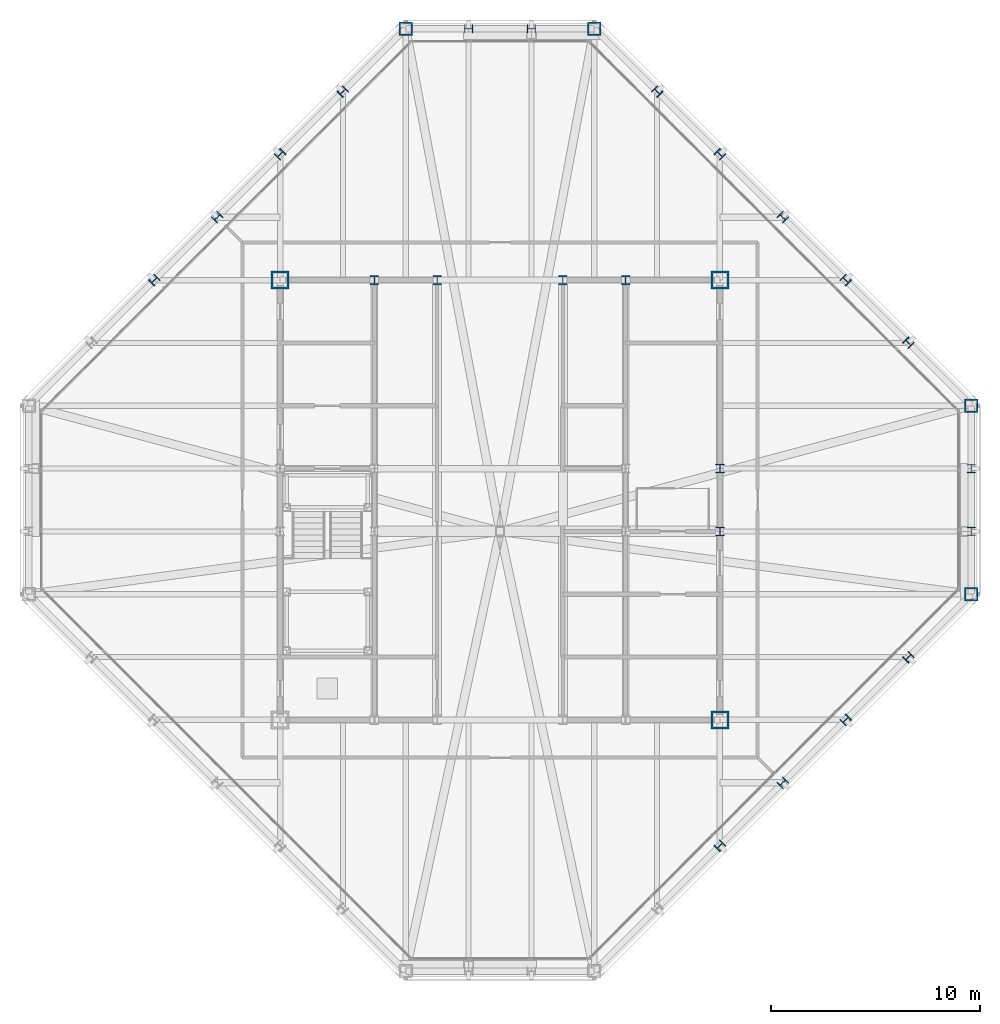
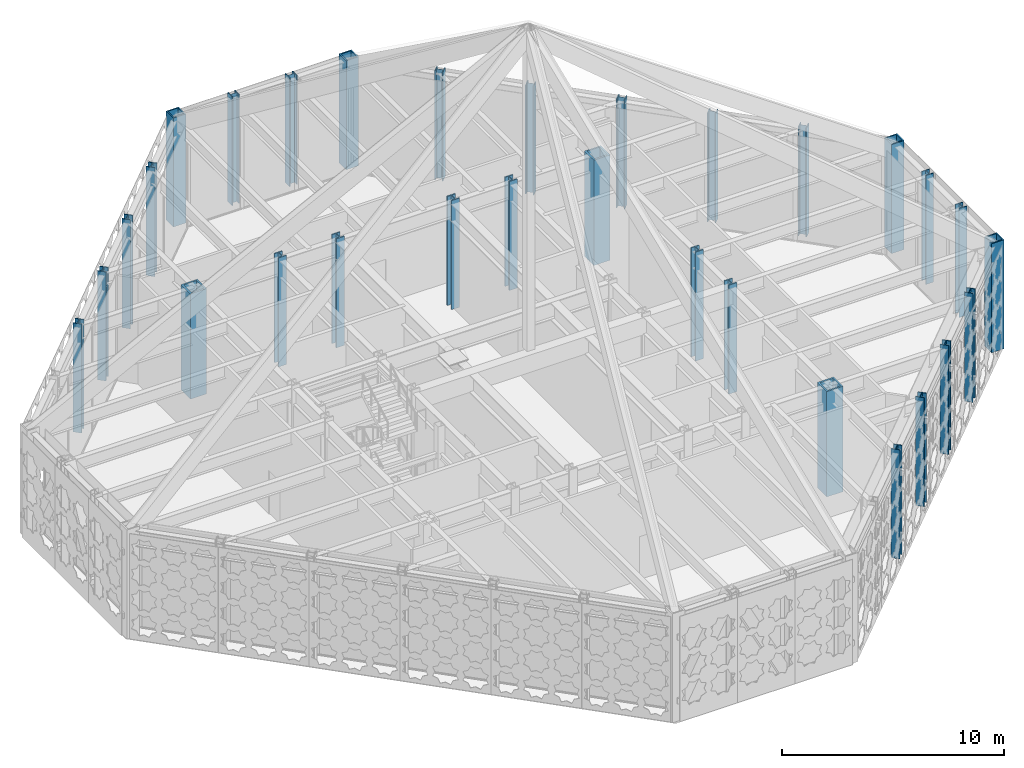
# One storey, part 3 of 30: 30 columns.
"""IFC4 building model written with IfcOpenShell, lengths in metres."""

from ifc_helpers import new_model, si_unit, direction, frame, origin, origin_2d, place, context, subcontext, project, spatial, hollow_rectangle, i_section, extrude, material, material_profile, profile_set, type_object, element, save


model = new_model("IFC4")

# Units and contexts
model_context = context("Model", 3, precision=1e-05, world=origin(), true_north=direction((0.0, 1.0)))
body_context = subcontext(model_context, "Body", "Model", "MODEL_VIEW")
ifc_project = project(units=[si_unit("LENGTHUNIT", "METRE"), si_unit("AREAUNIT", "SQUARE_METRE"), si_unit("VOLUMEUNIT", "CUBIC_METRE"), si_unit("PLANEANGLEUNIT", "RADIAN"), si_unit("MASSUNIT", "GRAM", prefix="KILO")], contexts=[model_context])

# Site, building, storey
site_placement = place(None, origin())
site = spatial("IfcSite", under=ifc_project, at=site_placement, CompositionType="ELEMENT")
building_placement = place(site_placement, origin())
building = spatial("IfcBuilding", under=site, at=building_placement, Name="Chuquiago Exchange Tower", CompositionType="ELEMENT")
storey_placement = place(building_placement, frame((0.0, 0.0, 306.0)))
storey = spatial("IfcBuildingStorey", under=building, at=storey_placement, Name="L68", CompositionType="ELEMENT", Elevation=306.0)

# Columns
ifc_material_1 = material(Name="Steel ASTM A992", Category="steel")
ifc_material_profile_1 = material_profile(ifc_material_1, i_section(OverallWidth=0.4013671875, OverallDepth=0.398681640625, WebThickness=0.02490234375, FlangeThickness=0.03955078125, at=origin_2d()), Name="W14X211")
ifc_profile_set_1 = profile_set([ifc_material_profile_1], Name="Steel ASTM A992")
column_type_1 = type_object("IfcColumnType", Name="C9 W14X211", PredefinedType="COLUMN", material=ifc_profile_set_1)
for number, where, z_axis, x_axis, name in (
    (1, (45.0, 21.0, 0.0), (0.0, 0.0, 1.0), (1.0, 0.0, 0.0), "COL-L68-45_21"),
    (2, (45.0, 24.0, 0.0), (0.0, 0.0, 1.0), (1.0, 0.0, 0.0), "COL-L68-45_24"),
    (3, (24.0, 45.0, 0.0), (0.0, 0.0, 1.0), (0.0, 1.0, 0.0), "COL-L68-24_45"),
    (4, (21.0, 45.0, 0.0), (0.0, 0.0, 1.0), (0.0, 1.0, 0.0), "COL-L68-21_45"),
):
    element("IfcColumn", number, at=place(storey_placement, frame(where, z_axis=z_axis, x_axis=x_axis)), inside=storey, type_object=column_type_1, Name=name, PredefinedType="COLUMN", context=body_context, shape_type="SweptSolid", body=[
        extrude(i_section(OverallWidth=0.4013671875, OverallDepth=0.398681640625, WebThickness=0.02490234375, FlangeThickness=0.03955078125, at=origin_2d()), origin(), (0.0, 0.0, 1.0), 6.0),
    ])
ifc_material_2 = material(Name="Steel ASTM A572 Grade 50", Category="steel")
ifc_material_profile_2 = material_profile(ifc_material_2, hollow_rectangle(XDim=0.85009765625, YDim=0.85009765625, WallThickness=0.0849609375, at=origin_2d()), Name="BOX850X850X85")
ifc_profile_set_2 = profile_set([ifc_material_profile_2], Name="Steel ASTM A572 Grade 50")
column_type_2 = type_object("IfcColumnType", Name="CC6 BOX850X850X85", PredefinedType="COLUMN", material=ifc_profile_set_2)
for number, where, z_axis, x_axis, name in (
    (5, (33.0, 12.0, 0.0), (0.0, 0.0, 1.0), (1.0, 0.0, 0.0), "CCOL-L68-33_12"),
    (6, (12.0, 33.0, 0.0), (0.0, 0.0, 1.0), (1.0, 0.0, 0.0), "CCOL-L68-12_33"),
    (7, (33.0, 33.0, 0.0), (0.0, 0.0, 1.0), (1.0, 0.0, 0.0), "CCOL-L68-33_33"),
):
    element("IfcColumn", number, at=place(storey_placement, frame(where, z_axis=z_axis, x_axis=x_axis)), inside=storey, type_object=column_type_2, Name=name, PredefinedType="COLUMN", context=body_context, shape_type="SweptSolid", body=[
        extrude(hollow_rectangle(XDim=0.85009765625, YDim=0.85009765625, WallThickness=0.0849609375, at=origin_2d()), origin(), (0.0, 0.0, 1.0), 5.800048828125),
    ])
ifc_material_3 = material(Name="Steel ASTM A992", Category="steel")
ifc_material_profile_3 = material_profile(ifc_material_3, i_section(OverallWidth=0.41650390625, OverallDepth=0.444580078125, WebThickness=0.0390625, FlangeThickness=0.062744140625, at=origin_2d()), Name="W14X342")
ifc_profile_set_3 = profile_set([ifc_material_profile_3], Name="Steel ASTM A992")
column_type_3 = type_object("IfcColumnType", Name="CC9 W14X342", PredefinedType="COLUMN", material=ifc_profile_set_3)
for number, where, z_axis, x_axis, name in (
    (8, (16.5, 33.0, 0.0), (0.0, 0.0, 1.0), (1.0, 0.0, 0.0), "CCOL-L68-16.5_33"),
    (9, (19.5, 33.0, 0.0), (0.0, 0.0, 1.0), (1.0, 0.0, 0.0), "CCOL-L68-19.5_33"),
    (10, (25.5, 33.0, 0.0), (0.0, 0.0, 1.0), (1.0, 0.0, 0.0), "CCOL-L68-25.5_33"),
    (11, (28.5, 33.0, 0.0), (0.0, 0.0, 1.0), (1.0, 0.0, 0.0), "CCOL-L68-28.5_33"),
    (12, (33.0, 21.0, 0.0), (0.0, 0.0, 1.0), (1.0, 0.0, 0.0), "CCOL-L68-33_21"),
    (13, (33.0, 24.0, 0.0), (0.0, 0.0, 1.0), (1.0, 0.0, 0.0), "CCOL-L68-33_24"),
):
    element("IfcColumn", number, at=place(storey_placement, frame(where, z_axis=z_axis, x_axis=x_axis)), inside=storey, type_object=column_type_3, Name=name, PredefinedType="COLUMN", context=body_context, shape_type="SweptSolid", body=[
        extrude(i_section(OverallWidth=0.41650390625, OverallDepth=0.444580078125, WebThickness=0.0390625, FlangeThickness=0.062744140625, at=origin_2d()), origin(), (0.0, 0.0, 1.0), 6.0),
    ])
ifc_material_4 = material(Name="Steel ASTM A992", Category="steel")
ifc_material_profile_4 = material_profile(ifc_material_4, i_section(OverallWidth=0.40380859375, OverallDepth=0.406494140625, WebThickness=0.027099609375, FlangeThickness=0.043701171875, at=origin_2d()), Name="W14X233")
ifc_profile_set_4 = profile_set([ifc_material_profile_4], Name="Steel ASTM A992")
column_type_4 = type_object("IfcColumnType", Name="CK8 W14X233", PredefinedType="COLUMN", material=ifc_profile_set_4)
for number, where, z_axis, x_axis, name in (
    (14, (33.0, 6.0, 0.0), (0.0, 0.0, 1.0), (0.707106781187, -0.707106781187, 0.0), "COL-L68-33_6"),
    (15, (36.0, 9.0, 0.0), (0.0, 0.0, 1.0), (0.707106781187, -0.707106781187, 0.0), "COL-L68-36_9"),
    (16, (39.0, 12.0, 0.0), (0.0, 0.0, 1.0), (0.707106781187, -0.707106781187, 0.0), "COL-L68-39_12"),
    (17, (42.0, 15.0, 0.0), (0.0, 0.0, 1.0), (0.707106781187, -0.707106781187, 0.0), "COL-L68-42_15"),
    (18, (42.0, 30.0, 0.0), (0.0, 0.0, 1.0), (0.707106781187, 0.707106781187, 0.0), "COL-L68-42_30"),
    (19, (39.0, 33.0, 0.0), (0.0, 0.0, 1.0), (0.707106781187, 0.707106781187, 0.0), "COL-L68-39_33"),
    (20, (36.0, 36.0, 0.0), (0.0, 0.0, 1.0), (0.707106781187, 0.707106781187, 0.0), "COL-L68-36_36"),
    (21, (33.0, 39.0, 0.0), (0.0, 0.0, 1.0), (0.707106781187, 0.707106781187, 0.0), "COL-L68-33_39"),
    (22, (30.0, 42.0, 0.0), (0.0, 0.0, 1.0), (0.707106781187, 0.707106781187, 0.0), "COL-L68-30_42"),
    (23, (15.0, 42.0, 0.0), (0.0, 0.0, 1.0), (-0.707106781187, 0.707106781187, 0.0), "COL-L68-15_42"),
    (24, (12.0, 39.0, 0.0), (0.0, 0.0, 1.0), (-0.707106781187, 0.707106781187, 0.0), "COL-L68-12_39"),
    (25, (9.0, 36.0, 0.0), (0.0, 0.0, 1.0), (-0.707106781187, 0.707106781187, 0.0), "COL-L68-9_36"),
    (26, (6.0, 33.0, 0.0), (0.0, 0.0, 1.0), (-0.707106781187, 0.707106781187, 0.0), "COL-L68-6_33"),
):
    element("IfcColumn", number, at=place(storey_placement, frame(where, z_axis=z_axis, x_axis=x_axis)), inside=storey, type_object=column_type_4, Name=name, PredefinedType="COLUMN", context=body_context, shape_type="SweptSolid", body=[
        extrude(i_section(OverallWidth=0.40380859375, OverallDepth=0.406494140625, WebThickness=0.027099609375, FlangeThickness=0.043701171875, at=origin_2d()), origin(), (0.0, 0.0, 1.0), 6.0),
    ])
ifc_material_5 = material(Name="Steel ASTM A572 Grade 50", Category="steel")
ifc_material_profile_5 = material_profile(ifc_material_5, hollow_rectangle(XDim=0.64990234375, YDim=0.64990234375, WallThickness=0.06494140625, at=origin_2d()), Name="BOX650X650X65")
ifc_profile_set_5 = profile_set([ifc_material_profile_5], Name="Steel ASTM A572 Grade 50")
column_type_5 = type_object("IfcColumnType", Name="CN2 BOX650X650X65", PredefinedType="COLUMN", material=ifc_profile_set_5)
for number, where, z_axis, x_axis, name in (
    (27, (45.0, 18.0, 0.0), (0.0, 0.0, 1.0), (1.0, 0.0, 0.0), "COL-L68-45_18"),
    (28, (45.0, 27.0, 0.0), (0.0, 0.0, 1.0), (1.0, 0.0, 0.0), "COL-L68-45_27"),
    (29, (27.0, 45.0, 0.0), (0.0, 0.0, 1.0), (0.0, 1.0, 0.0), "COL-L68-27_45"),
    (30, (18.0, 45.0, 0.0), (0.0, 0.0, 1.0), (0.0, 1.0, 0.0), "COL-L68-18_45"),
):
    element("IfcColumn", number, at=place(storey_placement, frame(where, z_axis=z_axis, x_axis=x_axis)), inside=storey, type_object=column_type_5, Name=name, PredefinedType="COLUMN", context=body_context, shape_type="SweptSolid", body=[
        extrude(hollow_rectangle(XDim=0.64990234375, YDim=0.64990234375, WallThickness=0.06494140625, at=origin_2d()), origin(), (0.0, 0.0, 1.0), 6.0),
    ])

save(model, "model.ifc")
